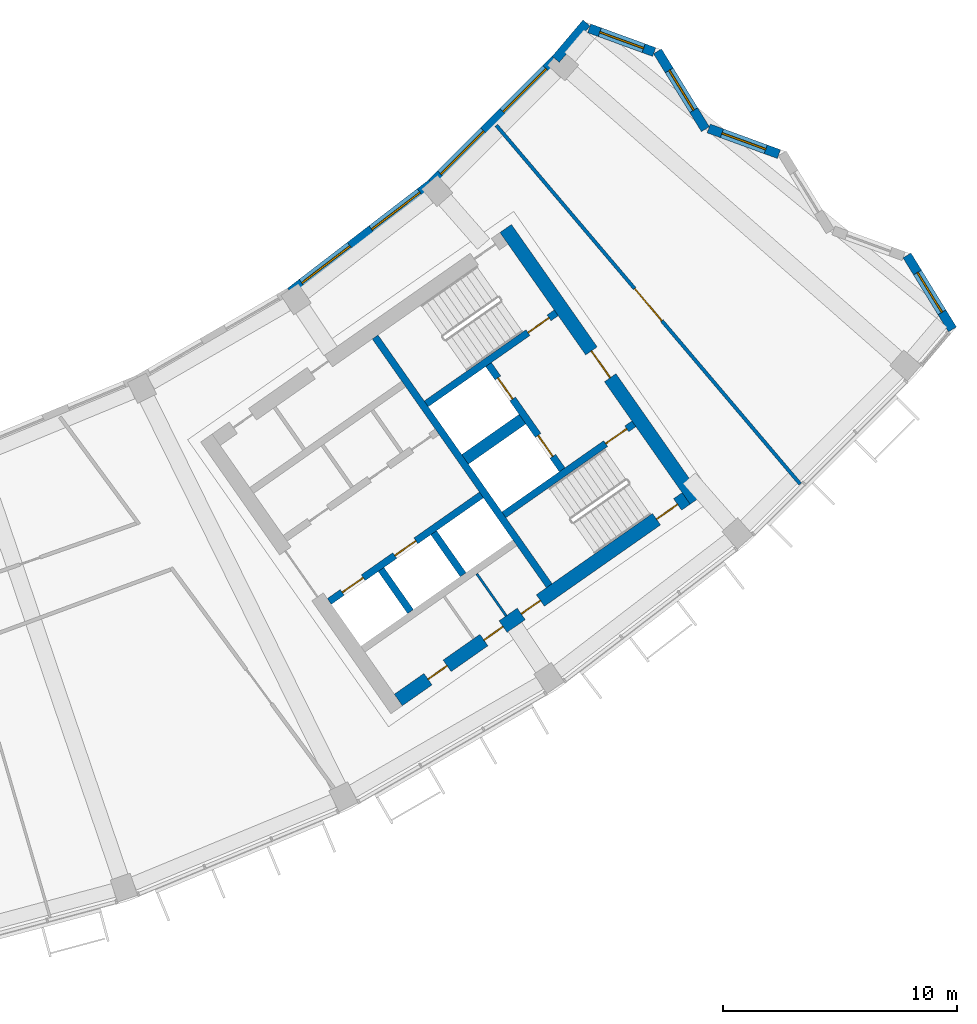
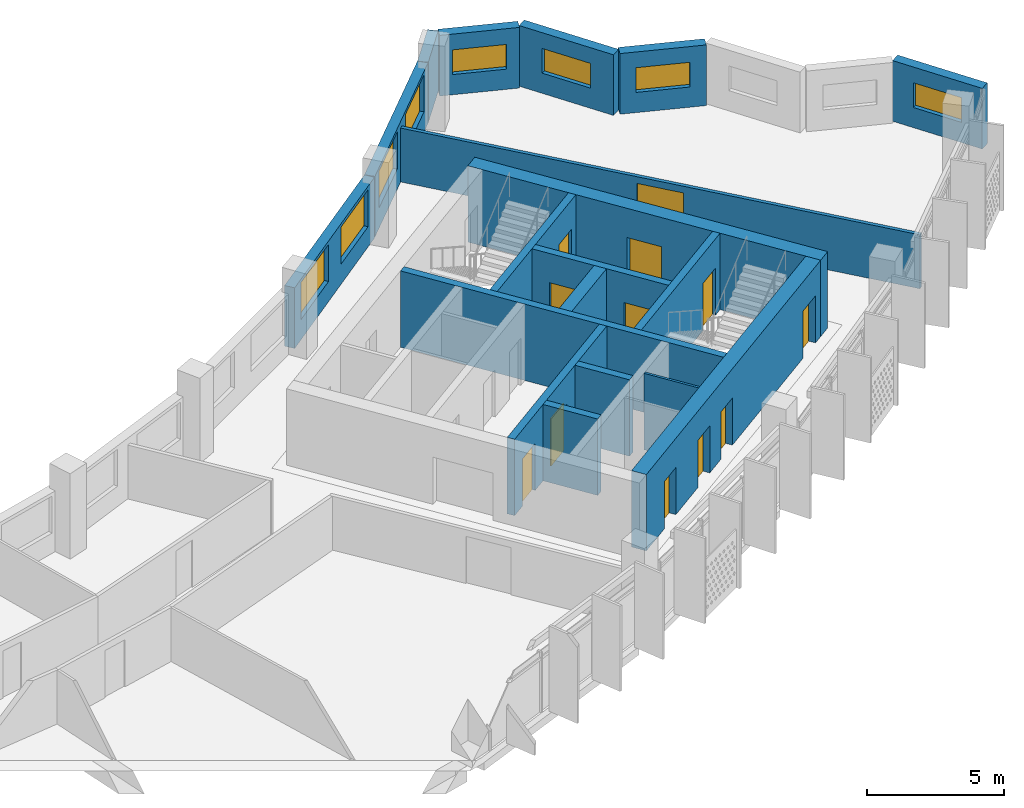
# One storey, part 7 of 27: 19 walls, 12 doors, 8 windows, 20 openings.
"""IFC4 building model written with IfcOpenShell, lengths in metres."""

from ifc_helpers import new_model, si_unit, direction, frame, frame_2d, origin, place, context, subcontext, project, spatial, rectangle, extrude, material, layer, layer_set, type_object, element, fill, save


model = new_model("IFC4")

# Units and contexts
model_context = context("Model", 3, precision=1e-05, world=origin(), true_north=direction((0.0, 1.0)))
body_context = subcontext(model_context, "Body", "Model", "MODEL_VIEW")
ifc_project = project(units=[si_unit("LENGTHUNIT", "METRE"), si_unit("AREAUNIT", "SQUARE_METRE"), si_unit("VOLUMEUNIT", "CUBIC_METRE"), si_unit("PLANEANGLEUNIT", "RADIAN"), si_unit("MASSUNIT", "GRAM", prefix="KILO")], contexts=[model_context])

# Site, building, storey
site_placement = place(None, origin())
site = spatial("IfcSite", under=ifc_project, at=site_placement, CompositionType="ELEMENT")
building_placement = place(site_placement, origin())
building = spatial("IfcBuilding", under=site, at=building_placement, Name="Qamariyya Broadcast Tower", CompositionType="ELEMENT")
storey_placement = place(building_placement, frame((0.0, 0.0, 280.89990234375)))
storey = spatial("IfcBuildingStorey", under=building, at=storey_placement, Name="L68", CompositionType="ELEMENT", Elevation=280.89990234375)

# Wall, opening, door
ifc_material_1 = material(Name="Concrete C60/75", Category="concrete")
ifc_layer_1 = layer(ifc_material_1, 0.60009765625)
ifc_layer_set_1 = layer_set([ifc_layer_1], Name="Core wall 600 mm Concrete C60/75")
wall_type_1 = type_object("IfcWallType", Name="Core wall 600 mm Concrete C60/75", PredefinedType="SHEAR", material=ifc_layer_set_1)
wall_1_placement = place(storey_placement, frame((49.4833984375, -57.031494140625, 0.0), z_axis=(0.0, 0.0, 1.0), x_axis=(-0.573560421458, 0.819163257805, 0.0)))
wall_1 = element("IfcWall", 1, at=wall_1_placement, inside=storey, type_object=wall_type_1, Name="k-E-L68-WH", PredefinedType="SHEAR", context=body_context, shape_type="SweptSolid", body=[
    extrude(rectangle(XDim=14.199951171875, YDim=0.60009765625, at=frame_2d((7.10009765625, 0.0))), origin(), (0.0, 0.0, 1.0), 3.400146484375),
])
opening_1_placement = place(wall_1_placement, frame((6.39990234375, 0.0, 0.0)))
opening_1 = element("IfcOpeningElement", 2, at=opening_1_placement, cuts=wall_1, Name="Opening KD2-E1", PredefinedType="OPENING", context=body_context, shape_type="SweptSolid", body=[
    extrude(rectangle(XDim=1.39990234375, YDim=2.10009765625, at=frame_2d((0.699951171875, 1.050048828125))), frame((0.0, 0.31005859375, 0.0), z_axis=(0.0, -1.0, 0.0), x_axis=(1.0, 0.0, 0.0)), (0.0, 0.0, 1.0), 0.6201171875),
])
ifc_material_2 = material(Name="Steel fire-resisting door leaf", Category="steel")
door_type_1 = type_object("IfcDoorType", Name="Fire-fighting lobby door KD2", OperationType="DOUBLE_DOOR_SINGLE_SWING", PredefinedType="DOOR", material=ifc_material_2)
door_1_placement = place(opening_1_placement, origin())
door_1 = element("IfcDoor", 3, at=door_1_placement, inside=storey, type_object=door_type_1, Name="k-E-L68-WH-D14", OperationType="DOUBLE_DOOR_SINGLE_SWING", OverallHeight=2.10009765625, OverallWidth=1.39990234375, PredefinedType="DOOR", context=body_context, shape_type="SweptSolid", body=[
    extrude(rectangle(XDim=1.39990234375, YDim=2.10009765625, at=frame_2d((0.699951171875, 1.050048828125))), frame((0.0, 0.02490234375, 0.0), z_axis=(0.0, -1.0, 0.0), x_axis=(1.0, 0.0, 0.0)), (0.0, 0.0, 1.0), 0.050048828125),
])
fill(opening_1, door_1)

# Wall, openings, doors
wall_2_placement = place(storey_placement, frame((36.7412109375, -65.58740234375, 0.0), z_axis=(0.0, 0.0, 1.0), x_axis=(0.819153391756, 0.573574511963, 0.0)))
wall_2 = element("IfcWall", 4, at=wall_2_placement, inside=storey, type_object=wall_type_1, Name="k-E-L68-WO", PredefinedType="SHEAR", context=body_context, shape_type="SweptSolid", body=[
    extrude(rectangle(XDim=15.04541015625, YDim=0.60009765625, at=frame_2d((7.522705078125, 0.0))), origin(), (0.0, 0.0, 1.0), 3.400146484375),
])
opening_2_placement = place(wall_2_placement, frame((1.550048828125, 0.0, 0.0)))
opening_2 = element("IfcOpeningElement", 5, at=opening_2_placement, cuts=wall_2, Name="Opening KD4-E2", PredefinedType="OPENING", context=body_context, shape_type="SweptSolid", body=[
    extrude(rectangle(XDim=1.0, YDim=2.10009765625, at=frame_2d((0.5, 1.050048828125))), frame((0.0, 0.31005859375, 0.0), z_axis=(0.0, -1.0, 0.0), x_axis=(1.0, 0.0, 0.0)), (0.0, 0.0, 1.0), 0.6201171875),
])
opening_3_placement = place(wall_2_placement, frame((4.47509765625, 0.0, 0.0)))
opening_3 = element("IfcOpeningElement", 6, at=opening_3_placement, cuts=wall_2, Name="Opening KD4-E3", PredefinedType="OPENING", context=body_context, shape_type="SweptSolid", body=[
    extrude(rectangle(XDim=1.0, YDim=2.10009765625, at=frame_2d((0.5, 1.050048828125))), frame((0.0, 0.31005859375, 0.0), z_axis=(0.0, -1.0, 0.0), x_axis=(1.0, 0.0, 0.0)), (0.0, 0.0, 1.0), 0.6201171875),
])
opening_4_placement = place(wall_2_placement, frame((6.425048828125, 0.0, 0.0)))
opening_4 = element("IfcOpeningElement", 7, at=opening_4_placement, cuts=wall_2, Name="Opening KD4-E4", PredefinedType="OPENING", context=body_context, shape_type="SweptSolid", body=[
    extrude(rectangle(XDim=1.0, YDim=2.10009765625, at=frame_2d((0.5, 1.050048828125))), frame((0.0, 0.31005859375, 0.0), z_axis=(0.0, -1.0, 0.0), x_axis=(1.0, 0.0, 0.0)), (0.0, 0.0, 1.0), 0.6201171875),
])
opening_5_placement = place(wall_2_placement, frame((13.495361328125, 0.0, 0.0)))
opening_5 = element("IfcOpeningElement", 8, at=opening_5_placement, cuts=wall_2, Name="Opening KD1-E3", PredefinedType="OPENING", context=body_context, shape_type="SweptSolid", body=[
    extrude(rectangle(XDim=1.10009765625, YDim=2.10009765625, at=frame_2d((0.550048828125, 1.050048828125))), frame((0.0, 0.31005859375, 0.0), z_axis=(0.0, -1.0, 0.0), x_axis=(1.0, 0.0, 0.0)), (0.0, 0.0, 1.0), 0.6201171875),
])
door_type_2 = type_object("IfcDoorType", Name="Riser and plant door KD4", OperationType="SINGLE_SWING_LEFT", PredefinedType="DOOR", material=ifc_material_2)
door_2_placement = place(opening_2_placement, origin())
door_2 = element("IfcDoor", 9, at=door_2_placement, inside=storey, type_object=door_type_2, Name="k-E-L68-WO-D9", OperationType="SINGLE_SWING_LEFT", OverallHeight=2.10009765625, OverallWidth=1.0, PredefinedType="DOOR", context=body_context, shape_type="SweptSolid", body=[
    extrude(rectangle(XDim=1.0, YDim=2.10009765625, at=frame_2d((0.5, 1.050048828125))), frame((0.0, 0.02490234375, 0.0), z_axis=(0.0, -1.0, 0.0), x_axis=(1.0, 0.0, 0.0)), (0.0, 0.0, 1.0), 0.050048828125),
])
fill(opening_2, door_2)
door_3_placement = place(opening_3_placement, origin())
door_3 = element("IfcDoor", 10, at=door_3_placement, inside=storey, type_object=door_type_2, Name="k-E-L68-WO-D10", OperationType="SINGLE_SWING_RIGHT", OverallHeight=2.10009765625, OverallWidth=1.0, PredefinedType="DOOR", context=body_context, shape_type="SweptSolid", body=[
    extrude(rectangle(XDim=1.0, YDim=2.10009765625, at=frame_2d((0.5, 1.050048828125))), frame((0.0, 0.02490234375, 0.0), z_axis=(0.0, -1.0, 0.0), x_axis=(1.0, 0.0, 0.0)), (0.0, 0.0, 1.0), 0.050048828125),
])
fill(opening_3, door_3)
door_4_placement = place(opening_4_placement, origin())
door_4 = element("IfcDoor", 11, at=door_4_placement, inside=storey, type_object=door_type_2, Name="k-E-L68-WO-D11", OperationType="SINGLE_SWING_LEFT", OverallHeight=2.10009765625, OverallWidth=1.0, PredefinedType="DOOR", context=body_context, shape_type="SweptSolid", body=[
    extrude(rectangle(XDim=1.0, YDim=2.10009765625, at=frame_2d((0.5, 1.050048828125))), frame((0.0, 0.02490234375, 0.0), z_axis=(0.0, -1.0, 0.0), x_axis=(1.0, 0.0, 0.0)), (0.0, 0.0, 1.0), 0.050048828125),
])
fill(opening_4, door_4)
door_type_3 = type_object("IfcDoorType", Name="Stair door KD1", OperationType="SINGLE_SWING_LEFT", PredefinedType="DOOR", material=ifc_material_2)
door_5_placement = place(opening_5_placement, origin())
door_5 = element("IfcDoor", 12, at=door_5_placement, inside=storey, type_object=door_type_3, Name="k-E-L68-WO-D17", OperationType="SINGLE_SWING_LEFT", OverallHeight=2.10009765625, OverallWidth=1.10009765625, PredefinedType="DOOR", context=body_context, shape_type="SweptSolid", body=[
    extrude(rectangle(XDim=1.10009765625, YDim=2.10009765625, at=frame_2d((0.550048828125, 1.050048828125))), frame((0.0, 0.02490234375, 0.0), z_axis=(0.0, -1.0, 0.0), x_axis=(1.0, 0.0, 0.0)), (0.0, 0.0, 1.0), 0.050048828125),
])
fill(opening_5, door_5)

# Wall, opening, door
ifc_material_3 = material(Name="Gypsum board partition")
ifc_layer_2 = layer(ifc_material_3, 0.14990234375)
ifc_layer_set_2 = layer_set([ifc_layer_2], Name="Corridor partition 150 EI 60")
wall_type_2 = type_object("IfcWallType", Name="Corridor partition 150 EI 60", PredefinedType="PARTITIONING", material=ifc_layer_set_2)
wall_3_placement = place(storey_placement, frame((40.93603515625, -40.982666015625, 0.0), z_axis=(0.0, 0.0, 1.0), x_axis=(0.646426079671, -0.76297662056, 0.0)))
wall_3 = element("IfcWall", 13, at=wall_3_placement, inside=storey, type_object=wall_type_2, Name="Partition L68-030", PredefinedType="PARTITIONING", context=body_context, shape_type="SweptSolid", body=[
    extrude(rectangle(XDim=20.1259765625, YDim=0.14990234375, at=frame_2d((10.06298828125, 0.0))), origin(), (0.0, 0.0, 1.0), 2.400146484375),
])
opening_6_placement = place(wall_3_placement, frame((9.1630859375, 0.0, 0.0)))
opening_6 = element("IfcOpeningElement", 14, at=opening_6_placement, cuts=wall_3, Name="Opening L68-D15", PredefinedType="OPENING", context=body_context, shape_type="SweptSolid", body=[
    extrude(rectangle(XDim=1.800048828125, YDim=2.10009765625, at=frame_2d((0.89990234375, 1.050048828125))), frame((0.0, 0.0849609375, 0.0), z_axis=(0.0, -1.0, 0.0), x_axis=(1.0, 0.0, 0.0)), (0.0, 0.0, 1.0), 0.169921875),
])
ifc_material_4 = material(Name="Timber fire door leaf", Category="wood")
door_type_4 = type_object("IfcDoorType", Name="Double fire door 1800 x 2100 FD60", OperationType="NOTDEFINED", PredefinedType="DOOR", material=ifc_material_4)
door_6_placement = place(opening_6_placement, origin())
door_6 = element("IfcDoor", 15, at=door_6_placement, inside=storey, type_object=door_type_4, Name="Door L68-D15", OperationType="DOUBLE_DOOR_SINGLE_SWING", OverallHeight=2.10009765625, OverallWidth=1.800048828125, PredefinedType="DOOR", context=body_context, shape_type="SweptSolid", body=[
    extrude(rectangle(XDim=1.800048828125, YDim=2.10009765625, at=frame_2d((0.89990234375, 1.050048828125))), frame((0.0, 0.02490234375, 0.0), z_axis=(0.0, -1.0, 0.0), x_axis=(1.0, 0.0, 0.0)), (0.0, 0.0, 1.0), 0.050048828125),
])
fill(opening_6, door_6)

# Walls
ifc_layer_3 = layer(ifc_material_1, 0.5)
ifc_layer_set_3 = layer_set([ifc_layer_3], Name="Fire-fighting lobby divider wall 500 mm Concrete C60/75")
wall_type_3 = type_object("IfcWallType", Name="Fire-fighting lobby divider wall 500 mm Concrete C60/75", PredefinedType="SOLIDWALL", material=ifc_layer_set_3)
wall_4_placement = place(storey_placement, frame((39.59912109375, -55.28515625, 0.0), z_axis=(0.0, 0.0, 1.0), x_axis=(0.819136323161, 0.573598887793, 0.0)))
element("IfcWall", 16, at=wall_4_placement, inside=storey, type_object=wall_type_3, Name="k-E-L68-FD", PredefinedType="SOLIDWALL", context=body_context, shape_type="SweptSolid", body=[
    extrude(rectangle(XDim=2.999755859375, YDim=0.5, at=frame_2d((1.5, 0.0))), origin(), (0.0, 0.0, 1.0), 3.400146484375),
])
ifc_layer_4 = layer(ifc_material_1, 0.300048828125)
ifc_layer_set_4 = layer_set([ifc_layer_4], Name="Lift shaft wall 300 mm Concrete C60/75")
wall_type_4 = type_object("IfcWallType", Name="Lift shaft wall 300 mm Concrete C60/75", PredefinedType="SOLIDWALL", material=ifc_layer_set_4)
wall_5_placement = place(storey_placement, frame((43.204345703125, -60.69580078125, 0.0), z_axis=(0.0, 0.0, 1.0), x_axis=(-0.573571992966, 0.819155155563, 0.0)))
element("IfcWall", 17, at=wall_5_placement, inside=storey, type_object=wall_type_4, Name="k-E-L68-WL", PredefinedType="SOLIDWALL", context=body_context, shape_type="SweptSolid", body=[
    extrude(rectangle(XDim=13.000244140625, YDim=0.300048828125, at=frame_2d((6.5, 0.0))), origin(), (0.0, 0.0, 1.0), 3.400146484375),
])

# Wall, openings, doors
wall_6_placement = place(storey_placement, frame((33.787353515625, -61.368896484375, 0.0), z_axis=(0.0, 0.0, 1.0), x_axis=(0.819152564888, 0.573575692858, 0.0)))
wall_6 = element("IfcWall", 18, at=wall_6_placement, inside=storey, type_object=wall_type_4, Name="k-E-L68-SF0", PredefinedType="SOLIDWALL", context=body_context, shape_type="SweptSolid", body=[
    extrude(rectangle(XDim=7.9501953125, YDim=0.300048828125, at=frame_2d((3.97509765625, 0.0))), origin(), (0.0, 0.0, 1.0), 3.400146484375),
])
opening_7_placement = place(wall_6_placement, frame((0.675048828125, 0.0, 0.0)))
opening_7 = element("IfcOpeningElement", 19, at=opening_7_placement, cuts=wall_6, Name="Opening LD", PredefinedType="OPENING", context=body_context, shape_type="SweptSolid", body=[
    extrude(rectangle(XDim=1.10009765625, YDim=2.10009765625, at=frame_2d((0.550048828125, 1.050048828125))), frame((0.0, 0.159912109375, 0.0), z_axis=(0.0, -1.0, 0.0), x_axis=(1.0, 0.0, 0.0)), (0.0, 0.0, 1.0), 0.320068359375),
])
opening_8_placement = place(wall_6_placement, frame((3.425048828125, 0.0, 0.0)))
opening_8 = element("IfcOpeningElement", 20, at=opening_8_placement, cuts=wall_6, Name="Opening LD", PredefinedType="OPENING", context=body_context, shape_type="SweptSolid", body=[
    extrude(rectangle(XDim=1.10009765625, YDim=2.10009765625, at=frame_2d((0.550048828125, 1.050048828125))), frame((0.0, 0.159912109375, 0.0), z_axis=(0.0, -1.0, 0.0), x_axis=(1.0, 0.0, 0.0)), (0.0, 0.0, 1.0), 0.320068359375),
])
door_type_5 = type_object("IfcDoorType", Name="Lift landing door LD", OperationType="DOUBLE_DOOR_SLIDING", PredefinedType="DOOR", material=ifc_material_2)
door_7_placement = place(opening_7_placement, origin())
door_7 = element("IfcDoor", 21, at=door_7_placement, inside=storey, type_object=door_type_5, Name="k-E-L68-SF0-D5", OperationType="DOUBLE_DOOR_SLIDING", OverallHeight=2.10009765625, OverallWidth=1.10009765625, PredefinedType="DOOR", context=body_context, shape_type="SweptSolid", body=[
    extrude(rectangle(XDim=1.10009765625, YDim=2.10009765625, at=frame_2d((0.550048828125, 1.050048828125))), frame((0.0, 0.02490234375, 0.0), z_axis=(0.0, -1.0, 0.0), x_axis=(1.0, 0.0, 0.0)), (0.0, 0.0, 1.0), 0.050048828125),
])
fill(opening_7, door_7)
door_8_placement = place(opening_8_placement, origin())
door_8 = element("IfcDoor", 22, at=door_8_placement, inside=storey, type_object=door_type_5, Name="k-E-L68-SF0-D6", OperationType="DOUBLE_DOOR_SLIDING", OverallHeight=2.10009765625, OverallWidth=1.10009765625, PredefinedType="DOOR", context=body_context, shape_type="SweptSolid", body=[
    extrude(rectangle(XDim=1.10009765625, YDim=2.10009765625, at=frame_2d((0.550048828125, 1.050048828125))), frame((0.0, 0.02490234375, 0.0), z_axis=(0.0, -1.0, 0.0), x_axis=(1.0, 0.0, 0.0)), (0.0, 0.0, 1.0), 0.050048828125),
])
fill(opening_8, door_8)

# Walls
wall_7_placement = place(storey_placement, frame((36.003173828125, -60.000244140625, 0.0), z_axis=(0.0, 0.0, 1.0), x_axis=(0.573581496053, -0.819148501424, 0.0)))
element("IfcWall", 23, at=wall_7_placement, inside=storey, type_object=wall_type_4, Name="k-E-L68-SD0", PredefinedType="SOLIDWALL", context=body_context, shape_type="SweptSolid", body=[
    extrude(rectangle(XDim=2.2001953125, YDim=0.300048828125, at=frame_2d((1.10009765625, 0.0))), origin(), (0.0, 0.0, 1.0), 3.400146484375),
])
wall_8_placement = place(storey_placement, frame((38.255859375, -58.423095703125, 0.0), z_axis=(0.0, 0.0, 1.0), x_axis=(0.573633636671, -0.819111989218, 0.0)))
element("IfcWall", 24, at=wall_8_placement, inside=storey, type_object=wall_type_4, Name="k-E-L68-SD1", PredefinedType="SOLIDWALL", context=body_context, shape_type="SweptSolid", body=[
    extrude(rectangle(XDim=2.199951171875, YDim=0.300048828125, at=frame_2d((1.10009765625, 0.0))), origin(), (0.0, 0.0, 1.0), 3.400146484375),
])

# Wall, opening, door
wall_9_placement = place(storey_placement, frame((37.935546875, -52.90966796875, 0.0), z_axis=(0.0, 0.0, 1.0), x_axis=(0.819147518138, 0.57358290031, 0.0)))
wall_9 = element("IfcWall", 25, at=wall_9_placement, inside=storey, type_object=wall_type_4, Name="k-E-L68-NW", PredefinedType="SOLIDWALL", context=body_context, shape_type="SweptSolid", body=[
    extrude(rectangle(XDim=6.79541015625, YDim=0.300048828125, at=frame_2d((3.397705078125, 0.0))), origin(), (0.0, 0.0, 1.0), 3.400146484375),
])
opening_9_placement = place(wall_9_placement, frame((5.3203125, 0.0, 0.0)))
opening_9 = element("IfcOpeningElement", 26, at=opening_9_placement, cuts=wall_9, Name="Opening KD1-E2", PredefinedType="OPENING", context=body_context, shape_type="SweptSolid", body=[
    extrude(rectangle(XDim=1.10009765625, YDim=2.10009765625, at=frame_2d((0.550048828125, 1.050048828125))), frame((0.0, 0.159912109375, 0.0), z_axis=(0.0, -1.0, 0.0), x_axis=(1.0, 0.0, 0.0)), (0.0, 0.0, 1.0), 0.320068359375),
])
door_9_placement = place(opening_9_placement, origin())
door_9 = element("IfcDoor", 27, at=door_9_placement, inside=storey, type_object=door_type_3, Name="k-E-L68-NW-D16", OperationType="SINGLE_SWING_RIGHT", OverallHeight=2.10009765625, OverallWidth=1.10009765625, PredefinedType="DOOR", context=body_context, shape_type="SweptSolid", body=[
    extrude(rectangle(XDim=1.10009765625, YDim=2.10009765625, at=frame_2d((0.550048828125, 1.050048828125))), frame((0.0, 0.02490234375, 0.0), z_axis=(0.0, -1.0, 0.0), x_axis=(1.0, 0.0, 0.0)), (0.0, 0.0, 1.0), 0.050048828125),
])
fill(opening_9, door_9)

wall_10_placement = place(storey_placement, frame((41.262451171875, -57.66064453125, 0.0), z_axis=(0.0, 0.0, 1.0), x_axis=(0.819164398642, 0.573558792102, 0.0)))
wall_10 = element("IfcWall", 28, at=wall_10_placement, inside=storey, type_object=wall_type_4, Name="k-E-L68-SW", PredefinedType="SOLIDWALL", context=body_context, shape_type="SweptSolid", body=[
    extrude(rectangle(XDim=6.795166015625, YDim=0.300048828125, at=frame_2d((3.3974609375, 0.0))), origin(), (0.0, 0.0, 1.0), 3.400146484375),
])
opening_10_placement = place(wall_10_placement, frame((5.3203125, 0.0, 0.0)))
opening_10 = element("IfcOpeningElement", 29, at=opening_10_placement, cuts=wall_10, Name="Opening KD1-E4", PredefinedType="OPENING", context=body_context, shape_type="SweptSolid", body=[
    extrude(rectangle(XDim=1.10009765625, YDim=2.10009765625, at=frame_2d((0.550048828125, 1.050048828125))), frame((0.0, 0.159912109375, 0.0), z_axis=(0.0, -1.0, 0.0), x_axis=(1.0, 0.0, 0.0)), (0.0, 0.0, 1.0), 0.320068359375),
])
door_10_placement = place(opening_10_placement, origin())
door_10 = element("IfcDoor", 30, at=door_10_placement, inside=storey, type_object=door_type_3, Name="k-E-L68-SW-D18", OperationType="SINGLE_SWING_RIGHT", OverallHeight=2.10009765625, OverallWidth=1.10009765625, PredefinedType="DOOR", context=body_context, shape_type="SweptSolid", body=[
    extrude(rectangle(XDim=1.10009765625, YDim=2.10009765625, at=frame_2d((0.550048828125, 1.050048828125))), frame((0.0, 0.02490234375, 0.0), z_axis=(0.0, -1.0, 0.0), x_axis=(1.0, 0.0, 0.0)), (0.0, 0.0, 1.0), 0.050048828125),
])
fill(opening_10, door_10)

# Wall, openings, doors
wall_11_placement = place(storey_placement, frame((43.756591796875, -55.731201171875, 0.0), z_axis=(0.0, 0.0, 1.0), x_axis=(-0.573536818435, 0.819179783625, 0.0)))
wall_11 = element("IfcWall", 31, at=wall_11_placement, inside=storey, type_object=wall_type_4, Name="k-E-L68-FF", PredefinedType="SOLIDWALL", context=body_context, shape_type="SweptSolid", body=[
    extrude(rectangle(XDim=5.500244140625, YDim=0.300048828125, at=frame_2d((2.75, 0.0))), origin(), (0.0, 0.0, 1.0), 3.400146484375),
])
opening_11_placement = place(wall_11_placement, frame((0.699951171875, 0.0, 0.0)))
opening_11 = element("IfcOpeningElement", 32, at=opening_11_placement, cuts=wall_11, Name="Opening LD", PredefinedType="OPENING", context=body_context, shape_type="SweptSolid", body=[
    extrude(rectangle(XDim=1.10009765625, YDim=2.10009765625, at=frame_2d((0.550048828125, 1.050048828125))), frame((0.0, 0.159912109375, 0.0), z_axis=(0.0, -1.0, 0.0), x_axis=(1.0, 0.0, 0.0)), (0.0, 0.0, 1.0), 0.320068359375),
])
opening_12_placement = place(wall_11_placement, frame((3.699951171875, 0.0, 0.0)))
opening_12 = element("IfcOpeningElement", 33, at=opening_12_placement, cuts=wall_11, Name="Opening LD", PredefinedType="OPENING", context=body_context, shape_type="SweptSolid", body=[
    extrude(rectangle(XDim=1.10009765625, YDim=2.10009765625, at=frame_2d((0.550048828125, 1.050048828125))), frame((0.0, 0.159912109375, 0.0), z_axis=(0.0, -1.0, 0.0), x_axis=(1.0, 0.0, 0.0)), (0.0, 0.0, 1.0), 0.320068359375),
])
door_11_placement = place(opening_11_placement, origin())
door_11 = element("IfcDoor", 34, at=door_11_placement, inside=storey, type_object=door_type_5, Name="k-E-L68-FF-D12", OperationType="DOUBLE_DOOR_SLIDING", OverallHeight=2.10009765625, OverallWidth=1.10009765625, PredefinedType="DOOR", context=body_context, shape_type="SweptSolid", body=[
    extrude(rectangle(XDim=1.10009765625, YDim=2.10009765625, at=frame_2d((0.550048828125, 1.050048828125))), frame((0.0, 0.02490234375, 0.0), z_axis=(0.0, -1.0, 0.0), x_axis=(1.0, 0.0, 0.0)), (0.0, 0.0, 1.0), 0.050048828125),
])
fill(opening_11, door_11)
door_12_placement = place(opening_12_placement, origin())
door_12 = element("IfcDoor", 35, at=door_12_placement, inside=storey, type_object=door_type_5, Name="k-E-L68-FF-D13", OperationType="DOUBLE_DOOR_SLIDING", OverallHeight=2.10009765625, OverallWidth=1.10009765625, PredefinedType="DOOR", context=body_context, shape_type="SweptSolid", body=[
    extrude(rectangle(XDim=1.10009765625, YDim=2.10009765625, at=frame_2d((0.550048828125, 1.050048828125))), frame((0.0, 0.02490234375, 0.0), z_axis=(0.0, -1.0, 0.0), x_axis=(1.0, 0.0, 0.0)), (0.0, 0.0, 1.0), 0.050048828125),
])
fill(opening_12, door_12)

# Wall
ifc_material_5 = material(Name="Fire-rated gypsum shaft liner on steel studs", Category="steel")
ifc_layer_5 = layer(ifc_material_5, 0.10009765625)
ifc_layer_set_5 = layer_set([ifc_layer_5], Name="Riser wall 100 mm")
wall_type_5 = type_object("IfcWallType", Name="Riser wall 100 mm", PredefinedType="PLUMBINGWALL", material=ifc_layer_set_5)
wall_12_placement = place(storey_placement, frame((40.099365234375, -60.18408203125, 0.0), z_axis=(0.0, 0.0, 1.0), x_axis=(0.573633636671, -0.819111989218, 0.0)))
element("IfcWall", 36, at=wall_12_placement, inside=storey, type_object=wall_type_5, Name="k-E-L68-SP585", PredefinedType="PLUMBINGWALL", context=body_context, shape_type="SweptSolid", body=[
    extrude(rectangle(XDim=2.199951171875, YDim=0.10009765625, at=frame_2d((1.10009765625, 0.0))), origin(), (0.0, 0.0, 1.0), 3.400146484375),
])

# Wall, opening, window
ifc_material_6 = material(Name="Terracotta", Category="masonry")
ifc_layer_6 = layer(ifc_material_6, 0.39990234375)
ifc_layer_set_6 = layer_set([ifc_layer_6], Name="Terracotta clad wall 400")
wall_type_6 = type_object("IfcWallType", Name="Terracotta clad wall 400", PredefinedType="SOLIDWALL", material=ifc_layer_set_6)
wall_13_placement = place(storey_placement, frame((60.46728515625, -49.721435546875, 0.0), z_axis=(0.0, 0.0, 1.0), x_axis=(-0.523679646014, 0.851915270641, 0.0)))
wall_13 = element("IfcWall", 37, at=wall_13_placement, inside=storey, type_object=wall_type_6, Name="e-wl-L68-capE0", PredefinedType="SOLIDWALL", context=body_context, shape_type="SweptSolid", body=[
    extrude(rectangle(XDim=3.717529296875, YDim=0.39990234375, at=frame_2d((1.85888671875, 0.0))), origin(), (0.0, 0.0, 1.0), 2.7001953125),
])
opening_13_placement = place(wall_13_placement, frame((0.858642578125, 0.0, 0.89990234375)))
opening_13 = element("IfcOpeningElement", 38, at=opening_13_placement, cuts=wall_13, Name="Opening W4", PredefinedType="OPENING", context=body_context, shape_type="SweptSolid", body=[
    extrude(rectangle(XDim=2.0, YDim=1.10009765625, at=frame_2d((1.0, 0.550048828125))), frame((0.0, 0.2099609375, 0.0), z_axis=(0.0, -1.0, 0.0), x_axis=(1.0, 0.0, 0.0)), (0.0, 0.0, 1.0), 0.419921875),
])
ifc_material_7 = material(Name="Clear low-e double glazed unit in aluminium frame", Category="aluminium")
window_type_1 = type_object("IfcWindowType", Name="Horn bay window 2000 x 1100", PartitioningType="SINGLE_PANEL", PredefinedType="WINDOW", material=ifc_material_7)
window_1_placement = place(opening_13_placement, origin())
window_1 = element("IfcWindow", 39, at=window_1_placement, inside=storey, type_object=window_type_1, Name="e-w-L68-capE0", OverallHeight=1.10009765625, OverallWidth=2.0, PartitioningType="SINGLE_PANEL", PredefinedType="WINDOW", context=body_context, shape_type="SweptSolid", body=[
    extrude(rectangle(XDim=2.0, YDim=1.10009765625, at=frame_2d((1.0, 0.550048828125))), frame((0.0, 0.030029296875, 0.0), z_axis=(0.0, -1.0, 0.0), x_axis=(1.0, 0.0, 0.0)), (0.0, 0.0, 1.0), 0.06005859375),
])
fill(opening_13, window_1)

wall_14_placement = place(storey_placement, frame((53.036865234375, -42.21484375, 0.0), z_axis=(0.0, 0.0, 1.0), x_axis=(-0.939351466327, 0.34295600696, 0.0)))
wall_14 = element("IfcWall", 40, at=wall_14_placement, inside=storey, type_object=wall_type_6, Name="e-wl-L68-capE3", PredefinedType="SOLIDWALL", context=body_context, shape_type="SweptSolid", body=[
    extrude(rectangle(XDim=3.19921875, YDim=0.39990234375, at=frame_2d((1.599609375, 0.0))), origin(), (0.0, 0.0, 1.0), 2.7001953125),
])
opening_14_placement = place(wall_14_placement, frame((0.599609375, 0.0, 0.89990234375)))
opening_14 = element("IfcOpeningElement", 41, at=opening_14_placement, cuts=wall_14, Name="Opening W4", PredefinedType="OPENING", context=body_context, shape_type="SweptSolid", body=[
    extrude(rectangle(XDim=2.0, YDim=1.10009765625, at=frame_2d((1.0, 0.550048828125))), frame((0.0, 0.2099609375, 0.0), z_axis=(0.0, -1.0, 0.0), x_axis=(1.0, 0.0, 0.0)), (0.0, 0.0, 1.0), 0.419921875),
])
window_2_placement = place(opening_14_placement, origin())
window_2 = element("IfcWindow", 42, at=window_2_placement, inside=storey, type_object=window_type_1, Name="e-w-L68-capE3", OverallHeight=1.10009765625, OverallWidth=2.0, PartitioningType="SINGLE_PANEL", PredefinedType="WINDOW", context=body_context, shape_type="SweptSolid", body=[
    extrude(rectangle(XDim=2.0, YDim=1.10009765625, at=frame_2d((1.0, 0.550048828125))), frame((0.0, 0.030029296875, 0.0), z_axis=(0.0, -1.0, 0.0), x_axis=(1.0, 0.0, 0.0)), (0.0, 0.0, 1.0), 0.06005859375),
])
fill(opening_14, window_2)

wall_15_placement = place(storey_placement, frame((49.888916015625, -41.14794921875, 0.0), z_axis=(0.0, 0.0, 1.0), x_axis=(-0.523867698074, 0.85179964482, 0.0)))
wall_15 = element("IfcWall", 43, at=wall_15_placement, inside=storey, type_object=wall_type_6, Name="e-wl-L68-capE4", PredefinedType="SOLIDWALL", context=body_context, shape_type="SweptSolid", body=[
    extrude(rectangle(XDim=3.913818359375, YDim=0.39990234375, at=frame_2d((1.95703125, 0.0))), origin(), (0.0, 0.0, 1.0), 2.7001953125),
])
opening_15_placement = place(wall_15_placement, frame((0.95703125, 0.0, 0.89990234375)))
opening_15 = element("IfcOpeningElement", 44, at=opening_15_placement, cuts=wall_15, Name="Opening W4", PredefinedType="OPENING", context=body_context, shape_type="SweptSolid", body=[
    extrude(rectangle(XDim=2.0, YDim=1.10009765625, at=frame_2d((1.0, 0.550048828125))), frame((0.0, 0.2099609375, 0.0), z_axis=(0.0, -1.0, 0.0), x_axis=(1.0, 0.0, 0.0)), (0.0, 0.0, 1.0), 0.419921875),
])
window_3_placement = place(opening_15_placement, origin())
window_3 = element("IfcWindow", 45, at=window_3_placement, inside=storey, type_object=window_type_1, Name="e-w-L68-capE4", OverallHeight=1.10009765625, OverallWidth=2.0, PartitioningType="SINGLE_PANEL", PredefinedType="WINDOW", context=body_context, shape_type="SweptSolid", body=[
    extrude(rectangle(XDim=2.0, YDim=1.10009765625, at=frame_2d((1.0, 0.550048828125))), frame((0.0, 0.030029296875, 0.0), z_axis=(0.0, -1.0, 0.0), x_axis=(1.0, 0.0, 0.0)), (0.0, 0.0, 1.0), 0.06005859375),
])
fill(opening_15, window_3)

wall_16_placement = place(storey_placement, frame((47.69580078125, -37.844482421875, 0.0), z_axis=(0.0, 0.0, 1.0), x_axis=(-0.939388110095, 0.342855623567, 0.0)))
wall_16 = element("IfcWall", 46, at=wall_16_placement, inside=storey, type_object=wall_type_6, Name="e-wl-L68-capE5", PredefinedType="SOLIDWALL", context=body_context, shape_type="SweptSolid", body=[
    extrude(rectangle(XDim=2.95947265625, YDim=0.39990234375, at=frame_2d((1.479736328125, 0.0))), origin(), (0.0, 0.0, 1.0), 2.7001953125),
])
opening_16_placement = place(wall_16_placement, frame((0.479736328125, 0.0, 0.89990234375)))
opening_16 = element("IfcOpeningElement", 47, at=opening_16_placement, cuts=wall_16, Name="Opening W4", PredefinedType="OPENING", context=body_context, shape_type="SweptSolid", body=[
    extrude(rectangle(XDim=2.0, YDim=1.10009765625, at=frame_2d((1.0, 0.550048828125))), frame((0.0, 0.2099609375, 0.0), z_axis=(0.0, -1.0, 0.0), x_axis=(1.0, 0.0, 0.0)), (0.0, 0.0, 1.0), 0.419921875),
])
window_4_placement = place(opening_16_placement, origin())
window_4 = element("IfcWindow", 48, at=window_4_placement, inside=storey, type_object=window_type_1, Name="e-w-L68-capE5", OverallHeight=1.10009765625, OverallWidth=2.0, PartitioningType="SINGLE_PANEL", PredefinedType="WINDOW", context=body_context, shape_type="SweptSolid", body=[
    extrude(rectangle(XDim=2.0, YDim=1.10009765625, at=frame_2d((1.0, 0.550048828125))), frame((0.0, 0.030029296875, 0.0), z_axis=(0.0, -1.0, 0.0), x_axis=(1.0, 0.0, 0.0)), (0.0, 0.0, 1.0), 0.06005859375),
])
fill(opening_16, window_4)

# Wall, openings, windows
wall_17_placement = place(storey_placement, frame((38.163330078125, -43.47900390625, 0.0), z_axis=(0.0, 0.0, 1.0), x_axis=(-0.793347844099, -0.608768591719, 0.0)))
wall_17 = element("IfcWall", 49, at=wall_17_placement, inside=storey, type_object=wall_type_6, Name="e-wl-L68-in120", PredefinedType="SOLIDWALL", context=body_context, shape_type="SweptSolid", body=[
    extrude(rectangle(XDim=7.617431640625, YDim=0.39990234375, at=frame_2d((3.80859375, 0.0))), origin(), (0.0, 0.0, 1.0), 2.7001953125),
])
opening_17_placement = place(wall_17_placement, frame((4.393798828125, 0.0, 0.89990234375)))
opening_17 = element("IfcOpeningElement", 50, at=opening_17_placement, cuts=wall_17, Name="Opening W1", PredefinedType="OPENING", context=body_context, shape_type="SweptSolid", body=[
    extrude(rectangle(XDim=2.60009765625, YDim=1.64990234375, at=frame_2d((1.300048828125, 0.824951171875))), frame((0.0, 0.2099609375, 0.0), z_axis=(0.0, -1.0, 0.0), x_axis=(1.0, 0.0, 0.0)), (0.0, 0.0, 1.0), 0.419921875),
])
opening_18_placement = place(wall_17_placement, frame((0.623291015625, 0.0, 0.89990234375)))
opening_18 = element("IfcOpeningElement", 51, at=opening_18_placement, cuts=wall_17, Name="Opening W1", PredefinedType="OPENING", context=body_context, shape_type="SweptSolid", body=[
    extrude(rectangle(XDim=2.60009765625, YDim=1.64990234375, at=frame_2d((1.300048828125, 0.824951171875))), frame((0.0, 0.2099609375, 0.0), z_axis=(0.0, -1.0, 0.0), x_axis=(1.0, 0.0, 0.0)), (0.0, 0.0, 1.0), 0.419921875),
])
window_type_2 = type_object("IfcWindowType", Name="Ribbon window 2600 x 1650", PartitioningType="SINGLE_PANEL", PredefinedType="WINDOW", material=ifc_material_7)
window_5_placement = place(opening_17_placement, origin())
window_5 = element("IfcWindow", 52, at=window_5_placement, inside=storey, type_object=window_type_2, Name="e-w-L68-in12-0", OverallHeight=1.64990234375, OverallWidth=2.60009765625, PartitioningType="SINGLE_PANEL", PredefinedType="WINDOW", context=body_context, shape_type="SweptSolid", body=[
    extrude(rectangle(XDim=2.60009765625, YDim=1.64990234375, at=frame_2d((1.300048828125, 0.824951171875))), frame((0.0, 0.030029296875, 0.0), z_axis=(0.0, -1.0, 0.0), x_axis=(1.0, 0.0, 0.0)), (0.0, 0.0, 1.0), 0.06005859375),
])
fill(opening_17, window_5)
window_6_placement = place(opening_18_placement, origin())
window_6 = element("IfcWindow", 53, at=window_6_placement, inside=storey, type_object=window_type_2, Name="e-w-L68-in12-1", OverallHeight=1.64990234375, OverallWidth=2.60009765625, PartitioningType="SINGLE_PANEL", PredefinedType="WINDOW", context=body_context, shape_type="SweptSolid", body=[
    extrude(rectangle(XDim=2.60009765625, YDim=1.64990234375, at=frame_2d((1.300048828125, 0.824951171875))), frame((0.0, 0.030029296875, 0.0), z_axis=(0.0, -1.0, 0.0), x_axis=(1.0, 0.0, 0.0)), (0.0, 0.0, 1.0), 0.06005859375),
])
fill(opening_18, window_6)

wall_18_placement = place(storey_placement, frame((43.46875, -38.1689453125, 0.0), z_axis=(0.0, 0.0, 1.0), x_axis=(-0.707106781187, -0.707106781187, 0.0)))
wall_18 = element("IfcWall", 54, at=wall_18_placement, inside=storey, type_object=wall_type_6, Name="e-wl-L68-in130", PredefinedType="SOLIDWALL", context=body_context, shape_type="SweptSolid", body=[
    extrude(rectangle(XDim=7.48046875, YDim=0.39990234375, at=frame_2d((3.740234375, 0.0))), origin(), (0.0, 0.0, 1.0), 2.7001953125),
])
opening_19_placement = place(wall_18_placement, frame((4.332763671875, 0.0, 0.89990234375)))
opening_19 = element("IfcOpeningElement", 55, at=opening_19_placement, cuts=wall_18, Name="Opening W1", PredefinedType="OPENING", context=body_context, shape_type="SweptSolid", body=[
    extrude(rectangle(XDim=2.60009765625, YDim=1.64990234375, at=frame_2d((1.300048828125, 0.824951171875))), frame((0.0, 0.2099609375, 0.0), z_axis=(0.0, -1.0, 0.0), x_axis=(1.0, 0.0, 0.0)), (0.0, 0.0, 1.0), 0.419921875),
])
opening_20_placement = place(wall_18_placement, frame((0.562255859375, 0.0, 0.89990234375)))
opening_20 = element("IfcOpeningElement", 56, at=opening_20_placement, cuts=wall_18, Name="Opening W1", PredefinedType="OPENING", context=body_context, shape_type="SweptSolid", body=[
    extrude(rectangle(XDim=2.60009765625, YDim=1.64990234375, at=frame_2d((1.300048828125, 0.824951171875))), frame((0.0, 0.2099609375, 0.0), z_axis=(0.0, -1.0, 0.0), x_axis=(1.0, 0.0, 0.0)), (0.0, 0.0, 1.0), 0.419921875),
])
window_7_placement = place(opening_19_placement, origin())
window_7 = element("IfcWindow", 57, at=window_7_placement, inside=storey, type_object=window_type_2, Name="e-w-L68-in13-0", OverallHeight=1.64990234375, OverallWidth=2.60009765625, PartitioningType="SINGLE_PANEL", PredefinedType="WINDOW", context=body_context, shape_type="SweptSolid", body=[
    extrude(rectangle(XDim=2.60009765625, YDim=1.64990234375, at=frame_2d((1.300048828125, 0.824951171875))), frame((0.0, 0.030029296875, 0.0), z_axis=(0.0, -1.0, 0.0), x_axis=(1.0, 0.0, 0.0)), (0.0, 0.0, 1.0), 0.06005859375),
])
fill(opening_19, window_7)
window_8_placement = place(opening_20_placement, origin())
window_8 = element("IfcWindow", 58, at=window_8_placement, inside=storey, type_object=window_type_2, Name="e-w-L68-in13-1", OverallHeight=1.64990234375, OverallWidth=2.60009765625, PartitioningType="SINGLE_PANEL", PredefinedType="WINDOW", context=body_context, shape_type="SweptSolid", body=[
    extrude(rectangle(XDim=2.60009765625, YDim=1.64990234375, at=frame_2d((1.300048828125, 0.824951171875))), frame((0.0, 0.030029296875, 0.0), z_axis=(0.0, -1.0, 0.0), x_axis=(1.0, 0.0, 0.0)), (0.0, 0.0, 1.0), 0.06005859375),
])
fill(opening_20, window_8)

# Wall
wall_19_placement = place(storey_placement, frame((44.79931640625, -36.6025390625, 0.0), z_axis=(0.0, 0.0, 1.0), x_axis=(-0.646452005478, -0.762954654363, 0.0)))
element("IfcWall", 59, at=wall_19_placement, inside=storey, type_object=wall_type_6, Name="e-wl-L68-in140", PredefinedType="SOLIDWALL", context=body_context, shape_type="SweptSolid", body=[
    extrude(rectangle(XDim=2.0390625, YDim=0.39990234375, at=frame_2d((1.01953125, 0.0))), origin(), (0.0, 0.0, 1.0), 2.7001953125),
])

save(model, "model.ifc")
